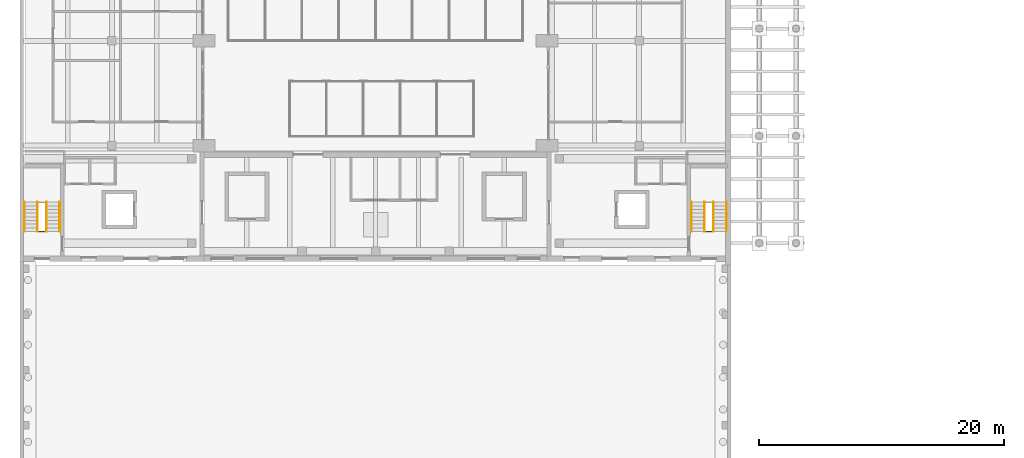
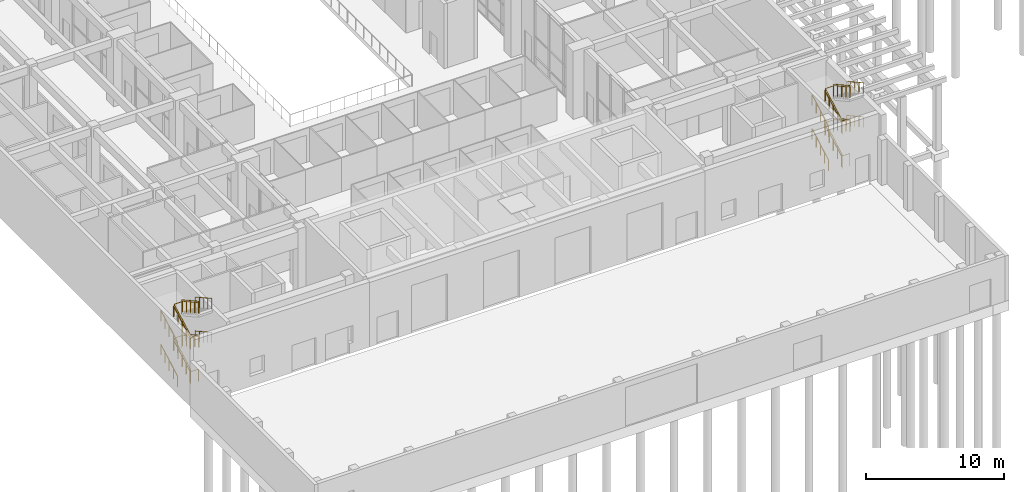
# One storey, part 46 of 51: 18 railings.
"""IFC4 building model written with IfcOpenShell, lengths in metres."""

from ifc_helpers import new_model, si_unit, direction, frame, origin, origin_2d, place, context, subcontext, project, spatial, circle, extrude, material, type_object, element, save


model = new_model("IFC4")

# Units and contexts
model_context = context("Model", 3, precision=1e-05, world=origin(), true_north=direction((0.0, 1.0)))
body_context = subcontext(model_context, "Body", "Model", "MODEL_VIEW")
ifc_project = project(units=[si_unit("LENGTHUNIT", "METRE"), si_unit("AREAUNIT", "SQUARE_METRE"), si_unit("VOLUMEUNIT", "CUBIC_METRE"), si_unit("PLANEANGLEUNIT", "RADIAN"), si_unit("MASSUNIT", "GRAM", prefix="KILO")], contexts=[model_context])

# Site, building, storey
site_placement = place(None, origin())
site = spatial("IfcSite", under=ifc_project, at=site_placement, CompositionType="ELEMENT")
building_placement = place(site_placement, origin())
building = spatial("IfcBuilding", under=site, at=building_placement, Name="Elmora Arch Market Hall", CompositionType="ELEMENT")
storey_placement = place(building_placement, origin())
storey = spatial("IfcBuildingStorey", under=building, at=storey_placement, Name="L00", CompositionType="ELEMENT", Elevation=0.0)

# Railings
ifc_material_1 = material(Name="Steel ASTM A500 Gr C", Category="steel")
railing_type_1 = type_object("IfcRailingType", Name="Stair guard 1100", PredefinedType="GUARDRAIL", material=ifc_material_1)
railing_1_placement = place(storey_placement, frame((2.1201171875, 20.449951171875, 0.0)))
element("IfcRailing", 1, at=railing_1_placement, inside=storey, type_object=railing_type_1, Name="Stair ST-WS guard L00", PredefinedType="GUARDRAIL", context=body_context, shape_type="SweptSolid", body=[
    extrude(circle(Radius=0.02392578125, at=origin_2d()), frame((0.0, 0.0, 1.076171875), z_axis=(-1.0, 0.0, 0.0), x_axis=(0.0, -1.0, 0.0)), (0.0, 0.0, 1.0), 0.64013671875),
    extrude(circle(Radius=0.02392578125, at=origin_2d()), frame((-0.64013671875, 0.0, 1.076171875), z_axis=(0.0, 0.0, 1.0), x_axis=(1.0, 0.0, 0.0)), (0.0, 0.0, 1.0), 0.166748046875),
    extrude(circle(Radius=0.02392578125, at=origin_2d()), frame((-0.64013671875, 0.0, 1.24267578125), z_axis=(0.0, 0.874241147926, 0.485491931212), x_axis=(-1.0, 0.0, 0.0)), (0.0, 0.0, 1.0), 0.6865234375),
    extrude(circle(Radius=0.02392578125, at=origin_2d()), frame((-0.64013671875, 0.60009765625, 1.576171875), z_axis=(0.0, 0.874157276122, 0.485642931179), x_axis=(-1.0, 0.0, 0.0)), (0.0, 0.0, 1.0), 0.686279296875),
    extrude(circle(Radius=0.02392578125, at=origin_2d()), frame((-0.64013671875, 1.199951171875, 1.9091796875), z_axis=(0.0, 0.874090171491, 0.485763699861), x_axis=(-1.0, 0.0, 0.0)), (0.0, 0.0, 1.0), 0.6865234375),
    extrude(circle(Radius=0.02392578125, at=origin_2d()), frame((-0.64013671875, 1.800048828125, 2.24267578125), z_axis=(0.0, 0.874241147926, 0.485491931212), x_axis=(-1.0, 0.0, 0.0)), (0.0, 0.0, 1.0), 0.6865234375),
    extrude(circle(Radius=0.02392578125, at=origin_2d()), frame((-0.64013671875, 2.400146484375, 2.576171875), z_axis=(1.0, 0.0, 0.0), x_axis=(0.0, 1.0, 0.0)), (0.0, 0.0, 1.0), 0.64013671875),
    extrude(circle(Radius=0.02392578125, at=origin_2d()), frame((0.0, 2.400146484375, 2.576171875), z_axis=(0.0, 0.0, 1.0), x_axis=(1.0, 0.0, 0.0)), (0.0, 0.0, 1.0), 0.166748046875),
    extrude(circle(Radius=0.02392578125, at=origin_2d()), frame((0.0, 2.400146484375, 2.74267578125), z_axis=(0.0, -0.874241147926, 0.485491931212), x_axis=(1.0, 0.0, 0.0)), (0.0, 0.0, 1.0), 0.6865234375),
    extrude(circle(Radius=0.02392578125, at=origin_2d()), frame((0.0, 1.800048828125, 3.076171875), z_axis=(0.0, -0.874241147926, 0.485491931212), x_axis=(1.0, 0.0, 0.0)), (0.0, 0.0, 1.0), 0.6865234375),
    extrude(circle(Radius=0.02392578125, at=origin_2d()), frame((0.0, 1.199951171875, 3.4091796875), z_axis=(0.0, -0.874006220275, 0.485914732151), x_axis=(1.0, 0.0, 0.0)), (0.0, 0.0, 1.0), 0.686279296875),
    extrude(circle(Radius=0.02392578125, at=origin_2d()), frame((0.0, 0.60009765625, 3.74267578125), z_axis=(0.0, -0.874241147926, 0.485491931212), x_axis=(1.0, 0.0, 0.0)), (0.0, 0.0, 1.0), 0.6865234375),
    extrude(circle(Radius=0.02392578125, at=origin_2d()), frame((0.0, 0.0, 4.076171875), z_axis=(-1.0, 0.0, 0.0), x_axis=(0.0, -1.0, 0.0)), (0.0, 0.0, 1.0), 0.64013671875),
    extrude(circle(Radius=0.02392578125, at=origin_2d()), frame((-0.64013671875, 0.0, 4.076171875), z_axis=(0.0, 0.0, 1.0), x_axis=(1.0, 0.0, 0.0)), (0.0, 0.0, 1.0), 0.166748046875),
    extrude(circle(Radius=0.02392578125, at=origin_2d()), frame((-0.64013671875, 0.0, 4.24267578125), z_axis=(0.0, 0.874241147926, 0.485491931212), x_axis=(-1.0, 0.0, 0.0)), (0.0, 0.0, 1.0), 0.6865234375),
    extrude(circle(Radius=0.02392578125, at=origin_2d()), frame((-0.64013671875, 0.60009765625, 4.576171875), z_axis=(0.0, 0.874157276122, 0.485642931179), x_axis=(-1.0, 0.0, 0.0)), (0.0, 0.0, 1.0), 0.686279296875),
    extrude(circle(Radius=0.02392578125, at=origin_2d()), frame((-0.64013671875, 1.199951171875, 4.9091796875), z_axis=(0.0, 0.874090171491, 0.485763699861), x_axis=(-1.0, 0.0, 0.0)), (0.0, 0.0, 1.0), 0.6865234375),
    extrude(circle(Radius=0.02392578125, at=origin_2d()), frame((-0.64013671875, 1.800048828125, 5.24267578125), z_axis=(0.0, 0.874241147926, 0.485491931212), x_axis=(-1.0, 0.0, 0.0)), (0.0, 0.0, 1.0), 0.6865234375),
    extrude(circle(Radius=0.02392578125, at=origin_2d()), frame((-0.64013671875, 2.400146484375, 5.576171875), z_axis=(1.0, 0.0, 0.0), x_axis=(0.0, 1.0, 0.0)), (0.0, 0.0, 1.0), 0.64013671875),
    extrude(circle(Radius=0.02392578125, at=origin_2d()), frame((0.0, 2.400146484375, 5.576171875), z_axis=(0.0, 0.0, 1.0), x_axis=(1.0, 0.0, 0.0)), (0.0, 0.0, 1.0), 0.166748046875),
    extrude(circle(Radius=0.02392578125, at=origin_2d()), frame((0.0, 2.400146484375, 5.74267578125), z_axis=(0.0, -0.874241147926, 0.485491931212), x_axis=(1.0, 0.0, 0.0)), (0.0, 0.0, 1.0), 0.6865234375),
    extrude(circle(Radius=0.02392578125, at=origin_2d()), frame((0.0, 1.800048828125, 6.076171875), z_axis=(0.0, -0.874241147926, 0.485491931212), x_axis=(1.0, 0.0, 0.0)), (0.0, 0.0, 1.0), 0.6865234375),
    extrude(circle(Radius=0.02392578125, at=origin_2d()), frame((0.0, 1.199951171875, 6.4091796875), z_axis=(0.0, -0.874006220275, 0.485914732151), x_axis=(1.0, 0.0, 0.0)), (0.0, 0.0, 1.0), 0.686279296875),
    extrude(circle(Radius=0.02392578125, at=origin_2d()), frame((0.0, 0.60009765625, 6.74267578125), z_axis=(0.0, -0.874241147926, 0.485491931212), x_axis=(1.0, 0.0, 0.0)), (0.0, 0.0, 1.0), 0.6865234375),
    extrude(circle(Radius=0.02099609375, at=origin_2d()), origin(), (0.0, 0.0, 1.0), 1.052001953125),
    extrude(circle(Radius=0.02099609375, at=origin_2d()), frame((-0.64013671875, 0.0, 0.0)), (0.0, 0.0, 1.0), 1.052001953125),
    extrude(circle(Radius=0.02099609375, at=origin_2d()), frame((-0.64013671875, 0.0, 0.166748046875)), (0.0, 0.0, 1.0), 1.052001953125),
    extrude(circle(Radius=0.02099609375, at=origin_2d()), frame((-0.64013671875, 0.60009765625, 0.5)), (0.0, 0.0, 1.0), 1.052001953125),
    extrude(circle(Radius=0.02099609375, at=origin_2d()), frame((-0.64013671875, 1.199951171875, 0.833251953125)), (0.0, 0.0, 1.0), 1.052001953125),
    extrude(circle(Radius=0.02099609375, at=origin_2d()), frame((-0.64013671875, 1.800048828125, 1.166748046875)), (0.0, 0.0, 1.0), 1.052001953125),
    extrude(circle(Radius=0.02099609375, at=origin_2d()), frame((-0.64013671875, 2.400146484375, 1.5)), (0.0, 0.0, 1.0), 1.052001953125),
    extrude(circle(Radius=0.02099609375, at=origin_2d()), frame((0.0, 2.400146484375, 1.5)), (0.0, 0.0, 1.0), 1.052001953125),
    extrude(circle(Radius=0.02099609375, at=origin_2d()), frame((0.0, 2.400146484375, 1.666748046875)), (0.0, 0.0, 1.0), 1.052001953125),
    extrude(circle(Radius=0.02099609375, at=origin_2d()), frame((0.0, 1.800048828125, 2.0)), (0.0, 0.0, 1.0), 1.052001953125),
    extrude(circle(Radius=0.02099609375, at=origin_2d()), frame((0.0, 1.199951171875, 2.333251953125)), (0.0, 0.0, 1.0), 1.052001953125),
    extrude(circle(Radius=0.02099609375, at=origin_2d()), frame((0.0, 0.60009765625, 2.666748046875)), (0.0, 0.0, 1.0), 1.052001953125),
    extrude(circle(Radius=0.02099609375, at=origin_2d()), frame((0.0, 0.0, 3.0)), (0.0, 0.0, 1.0), 1.052001953125),
    extrude(circle(Radius=0.02099609375, at=origin_2d()), frame((-0.64013671875, 0.0, 3.0)), (0.0, 0.0, 1.0), 1.052001953125),
    extrude(circle(Radius=0.02099609375, at=origin_2d()), frame((-0.64013671875, 0.0, 3.166748046875)), (0.0, 0.0, 1.0), 1.052001953125),
    extrude(circle(Radius=0.02099609375, at=origin_2d()), frame((-0.64013671875, 0.60009765625, 3.5)), (0.0, 0.0, 1.0), 1.052001953125),
    extrude(circle(Radius=0.02099609375, at=origin_2d()), frame((-0.64013671875, 1.199951171875, 3.833251953125)), (0.0, 0.0, 1.0), 1.052001953125),
    extrude(circle(Radius=0.02099609375, at=origin_2d()), frame((-0.64013671875, 1.800048828125, 4.166748046875)), (0.0, 0.0, 1.0), 1.052001953125),
    extrude(circle(Radius=0.02099609375, at=origin_2d()), frame((-0.64013671875, 2.400146484375, 4.5)), (0.0, 0.0, 1.0), 1.052001953125),
    extrude(circle(Radius=0.02099609375, at=origin_2d()), frame((0.0, 2.400146484375, 4.5)), (0.0, 0.0, 1.0), 1.052001953125),
    extrude(circle(Radius=0.02099609375, at=origin_2d()), frame((0.0, 2.400146484375, 4.666748046875)), (0.0, 0.0, 1.0), 1.052001953125),
    extrude(circle(Radius=0.02099609375, at=origin_2d()), frame((0.0, 1.800048828125, 5.0)), (0.0, 0.0, 1.0), 1.052001953125),
    extrude(circle(Radius=0.02099609375, at=origin_2d()), frame((0.0, 1.199951171875, 5.333251953125)), (0.0, 0.0, 1.0), 1.052001953125),
    extrude(circle(Radius=0.02099609375, at=origin_2d()), frame((0.0, 0.60009765625, 5.666748046875)), (0.0, 0.0, 1.0), 1.052001953125),
    extrude(circle(Radius=0.02099609375, at=origin_2d()), frame((0.0, 0.0, 6.0)), (0.0, 0.0, 1.0), 1.052001953125),
])
railing_2_placement = place(storey_placement, frame((56.52001953125, 20.449951171875, 0.0)))
element("IfcRailing", 2, at=railing_2_placement, inside=storey, type_object=railing_type_1, Name="Stair ST-ES guard L00", PredefinedType="GUARDRAIL", context=body_context, shape_type="SweptSolid", body=[
    extrude(circle(Radius=0.02392578125, at=origin_2d()), frame((0.0, 0.0, 1.076171875), z_axis=(-1.0, 0.0, 0.0), x_axis=(0.0, -1.0, 0.0)), (0.0, 0.0, 1.0), 0.64013671875),
    extrude(circle(Radius=0.02392578125, at=origin_2d()), frame((-0.64013671875, 0.0, 1.076171875), z_axis=(0.0, 0.0, 1.0), x_axis=(1.0, 0.0, 0.0)), (0.0, 0.0, 1.0), 0.166748046875),
    extrude(circle(Radius=0.02392578125, at=origin_2d()), frame((-0.64013671875, 0.0, 1.24267578125), z_axis=(0.0, 0.874241147926, 0.485491931212), x_axis=(-1.0, 0.0, 0.0)), (0.0, 0.0, 1.0), 0.6865234375),
    extrude(circle(Radius=0.02392578125, at=origin_2d()), frame((-0.64013671875, 0.60009765625, 1.576171875), z_axis=(0.0, 0.874157276122, 0.485642931179), x_axis=(-1.0, 0.0, 0.0)), (0.0, 0.0, 1.0), 0.686279296875),
    extrude(circle(Radius=0.02392578125, at=origin_2d()), frame((-0.64013671875, 1.199951171875, 1.9091796875), z_axis=(0.0, 0.874090171491, 0.485763699861), x_axis=(-1.0, 0.0, 0.0)), (0.0, 0.0, 1.0), 0.6865234375),
    extrude(circle(Radius=0.02392578125, at=origin_2d()), frame((-0.64013671875, 1.800048828125, 2.24267578125), z_axis=(0.0, 0.874241147926, 0.485491931212), x_axis=(-1.0, 0.0, 0.0)), (0.0, 0.0, 1.0), 0.6865234375),
    extrude(circle(Radius=0.02392578125, at=origin_2d()), frame((-0.64013671875, 2.400146484375, 2.576171875), z_axis=(1.0, 0.0, 0.0), x_axis=(0.0, 1.0, 0.0)), (0.0, 0.0, 1.0), 0.64013671875),
    extrude(circle(Radius=0.02392578125, at=origin_2d()), frame((0.0, 2.400146484375, 2.576171875), z_axis=(0.0, 0.0, 1.0), x_axis=(1.0, 0.0, 0.0)), (0.0, 0.0, 1.0), 0.166748046875),
    extrude(circle(Radius=0.02392578125, at=origin_2d()), frame((0.0, 2.400146484375, 2.74267578125), z_axis=(0.0, -0.874241147926, 0.485491931212), x_axis=(1.0, 0.0, 0.0)), (0.0, 0.0, 1.0), 0.6865234375),
    extrude(circle(Radius=0.02392578125, at=origin_2d()), frame((0.0, 1.800048828125, 3.076171875), z_axis=(0.0, -0.874241147926, 0.485491931212), x_axis=(1.0, 0.0, 0.0)), (0.0, 0.0, 1.0), 0.6865234375),
    extrude(circle(Radius=0.02392578125, at=origin_2d()), frame((0.0, 1.199951171875, 3.4091796875), z_axis=(0.0, -0.874006220275, 0.485914732151), x_axis=(1.0, 0.0, 0.0)), (0.0, 0.0, 1.0), 0.686279296875),
    extrude(circle(Radius=0.02392578125, at=origin_2d()), frame((0.0, 0.60009765625, 3.74267578125), z_axis=(0.0, -0.874241147926, 0.485491931212), x_axis=(1.0, 0.0, 0.0)), (0.0, 0.0, 1.0), 0.6865234375),
    extrude(circle(Radius=0.02392578125, at=origin_2d()), frame((0.0, 0.0, 4.076171875), z_axis=(-1.0, 0.0, 0.0), x_axis=(0.0, -1.0, 0.0)), (0.0, 0.0, 1.0), 0.64013671875),
    extrude(circle(Radius=0.02392578125, at=origin_2d()), frame((-0.64013671875, 0.0, 4.076171875), z_axis=(0.0, 0.0, 1.0), x_axis=(1.0, 0.0, 0.0)), (0.0, 0.0, 1.0), 0.166748046875),
    extrude(circle(Radius=0.02392578125, at=origin_2d()), frame((-0.64013671875, 0.0, 4.24267578125), z_axis=(0.0, 0.874241147926, 0.485491931212), x_axis=(-1.0, 0.0, 0.0)), (0.0, 0.0, 1.0), 0.6865234375),
    extrude(circle(Radius=0.02392578125, at=origin_2d()), frame((-0.64013671875, 0.60009765625, 4.576171875), z_axis=(0.0, 0.874157276122, 0.485642931179), x_axis=(-1.0, 0.0, 0.0)), (0.0, 0.0, 1.0), 0.686279296875),
    extrude(circle(Radius=0.02392578125, at=origin_2d()), frame((-0.64013671875, 1.199951171875, 4.9091796875), z_axis=(0.0, 0.874090171491, 0.485763699861), x_axis=(-1.0, 0.0, 0.0)), (0.0, 0.0, 1.0), 0.6865234375),
    extrude(circle(Radius=0.02392578125, at=origin_2d()), frame((-0.64013671875, 1.800048828125, 5.24267578125), z_axis=(0.0, 0.874241147926, 0.485491931212), x_axis=(-1.0, 0.0, 0.0)), (0.0, 0.0, 1.0), 0.6865234375),
    extrude(circle(Radius=0.02392578125, at=origin_2d()), frame((-0.64013671875, 2.400146484375, 5.576171875), z_axis=(1.0, 0.0, 0.0), x_axis=(0.0, 1.0, 0.0)), (0.0, 0.0, 1.0), 0.64013671875),
    extrude(circle(Radius=0.02392578125, at=origin_2d()), frame((0.0, 2.400146484375, 5.576171875), z_axis=(0.0, 0.0, 1.0), x_axis=(1.0, 0.0, 0.0)), (0.0, 0.0, 1.0), 0.166748046875),
    extrude(circle(Radius=0.02392578125, at=origin_2d()), frame((0.0, 2.400146484375, 5.74267578125), z_axis=(0.0, -0.874241147926, 0.485491931212), x_axis=(1.0, 0.0, 0.0)), (0.0, 0.0, 1.0), 0.6865234375),
    extrude(circle(Radius=0.02392578125, at=origin_2d()), frame((0.0, 1.800048828125, 6.076171875), z_axis=(0.0, -0.874241147926, 0.485491931212), x_axis=(1.0, 0.0, 0.0)), (0.0, 0.0, 1.0), 0.6865234375),
    extrude(circle(Radius=0.02392578125, at=origin_2d()), frame((0.0, 1.199951171875, 6.4091796875), z_axis=(0.0, -0.874006220275, 0.485914732151), x_axis=(1.0, 0.0, 0.0)), (0.0, 0.0, 1.0), 0.686279296875),
    extrude(circle(Radius=0.02392578125, at=origin_2d()), frame((0.0, 0.60009765625, 6.74267578125), z_axis=(0.0, -0.874241147926, 0.485491931212), x_axis=(1.0, 0.0, 0.0)), (0.0, 0.0, 1.0), 0.6865234375),
    extrude(circle(Radius=0.02099609375, at=origin_2d()), origin(), (0.0, 0.0, 1.0), 1.052001953125),
    extrude(circle(Radius=0.02099609375, at=origin_2d()), frame((-0.64013671875, 0.0, 0.0)), (0.0, 0.0, 1.0), 1.052001953125),
    extrude(circle(Radius=0.02099609375, at=origin_2d()), frame((-0.64013671875, 0.0, 0.166748046875)), (0.0, 0.0, 1.0), 1.052001953125),
    extrude(circle(Radius=0.02099609375, at=origin_2d()), frame((-0.64013671875, 0.60009765625, 0.5)), (0.0, 0.0, 1.0), 1.052001953125),
    extrude(circle(Radius=0.02099609375, at=origin_2d()), frame((-0.64013671875, 1.199951171875, 0.833251953125)), (0.0, 0.0, 1.0), 1.052001953125),
    extrude(circle(Radius=0.02099609375, at=origin_2d()), frame((-0.64013671875, 1.800048828125, 1.166748046875)), (0.0, 0.0, 1.0), 1.052001953125),
    extrude(circle(Radius=0.02099609375, at=origin_2d()), frame((-0.64013671875, 2.400146484375, 1.5)), (0.0, 0.0, 1.0), 1.052001953125),
    extrude(circle(Radius=0.02099609375, at=origin_2d()), frame((0.0, 2.400146484375, 1.5)), (0.0, 0.0, 1.0), 1.052001953125),
    extrude(circle(Radius=0.02099609375, at=origin_2d()), frame((0.0, 2.400146484375, 1.666748046875)), (0.0, 0.0, 1.0), 1.052001953125),
    extrude(circle(Radius=0.02099609375, at=origin_2d()), frame((0.0, 1.800048828125, 2.0)), (0.0, 0.0, 1.0), 1.052001953125),
    extrude(circle(Radius=0.02099609375, at=origin_2d()), frame((0.0, 1.199951171875, 2.333251953125)), (0.0, 0.0, 1.0), 1.052001953125),
    extrude(circle(Radius=0.02099609375, at=origin_2d()), frame((0.0, 0.60009765625, 2.666748046875)), (0.0, 0.0, 1.0), 1.052001953125),
    extrude(circle(Radius=0.02099609375, at=origin_2d()), frame((0.0, 0.0, 3.0)), (0.0, 0.0, 1.0), 1.052001953125),
    extrude(circle(Radius=0.02099609375, at=origin_2d()), frame((-0.64013671875, 0.0, 3.0)), (0.0, 0.0, 1.0), 1.052001953125),
    extrude(circle(Radius=0.02099609375, at=origin_2d()), frame((-0.64013671875, 0.0, 3.166748046875)), (0.0, 0.0, 1.0), 1.052001953125),
    extrude(circle(Radius=0.02099609375, at=origin_2d()), frame((-0.64013671875, 0.60009765625, 3.5)), (0.0, 0.0, 1.0), 1.052001953125),
    extrude(circle(Radius=0.02099609375, at=origin_2d()), frame((-0.64013671875, 1.199951171875, 3.833251953125)), (0.0, 0.0, 1.0), 1.052001953125),
    extrude(circle(Radius=0.02099609375, at=origin_2d()), frame((-0.64013671875, 1.800048828125, 4.166748046875)), (0.0, 0.0, 1.0), 1.052001953125),
    extrude(circle(Radius=0.02099609375, at=origin_2d()), frame((-0.64013671875, 2.400146484375, 4.5)), (0.0, 0.0, 1.0), 1.052001953125),
    extrude(circle(Radius=0.02099609375, at=origin_2d()), frame((0.0, 2.400146484375, 4.5)), (0.0, 0.0, 1.0), 1.052001953125),
    extrude(circle(Radius=0.02099609375, at=origin_2d()), frame((0.0, 2.400146484375, 4.666748046875)), (0.0, 0.0, 1.0), 1.052001953125),
    extrude(circle(Radius=0.02099609375, at=origin_2d()), frame((0.0, 1.800048828125, 5.0)), (0.0, 0.0, 1.0), 1.052001953125),
    extrude(circle(Radius=0.02099609375, at=origin_2d()), frame((0.0, 1.199951171875, 5.333251953125)), (0.0, 0.0, 1.0), 1.052001953125),
    extrude(circle(Radius=0.02099609375, at=origin_2d()), frame((0.0, 0.60009765625, 5.666748046875)), (0.0, 0.0, 1.0), 1.052001953125),
    extrude(circle(Radius=0.02099609375, at=origin_2d()), frame((0.0, 0.0, 6.0)), (0.0, 0.0, 1.0), 1.052001953125),
])
ifc_material_2 = material(Name="Stainless steel ASTM A554 Grade 304", Category="steel")
railing_type_2 = type_object("IfcRailingType", Name="Stair handrail 950", PredefinedType="HANDRAIL", material=ifc_material_2)
for number, where, name in (
    (3, (0.360107421875, 20.449951171875, 0.166748046875), "Stair ST-WS L00 flight 1 handrail"),
    (4, (1.429931640625, 20.449951171875, 0.166748046875), "Stair ST-WS L00 flight 1 handrail"),
):
    element("IfcRailing", number, at=place(storey_placement, frame(where)), inside=storey, type_object=railing_type_2, Name=name, PredefinedType="HANDRAIL", context=body_context, shape_type="SweptSolid", body=[
        extrude(circle(Radius=0.02392578125, at=origin_2d()), frame((0.0, 0.0, 0.92578125), z_axis=(0.0, 0.874241147926, 0.485491931212), x_axis=(-1.0, 0.0, 0.0)), (0.0, 0.0, 1.0), 0.6865234375),
        extrude(circle(Radius=0.02392578125, at=origin_2d()), frame((0.0, 0.60009765625, 1.25927734375), z_axis=(0.0, 0.874157276122, 0.485642931179), x_axis=(-1.0, 0.0, 0.0)), (0.0, 0.0, 1.0), 0.686279296875),
        extrude(circle(Radius=0.02392578125, at=origin_2d()), frame((0.0, 1.199951171875, 1.59228515625), z_axis=(0.0, 0.874090171491, 0.485763699861), x_axis=(-1.0, 0.0, 0.0)), (0.0, 0.0, 1.0), 0.6865234375),
        extrude(circle(Radius=0.02392578125, at=origin_2d()), frame((0.0, 1.800048828125, 1.92578125), z_axis=(0.0, 0.874241147926, 0.485491931212), x_axis=(-1.0, 0.0, 0.0)), (0.0, 0.0, 1.0), 0.6865234375),
        extrude(circle(Radius=0.02099609375, at=origin_2d()), origin(), (0.0, 0.0, 1.0), 0.90185546875),
        extrude(circle(Radius=0.02099609375, at=origin_2d()), frame((0.0, 0.60009765625, 0.333251953125)), (0.0, 0.0, 1.0), 0.90185546875),
        extrude(circle(Radius=0.02099609375, at=origin_2d()), frame((0.0, 1.199951171875, 0.66650390625)), (0.0, 0.0, 1.0), 0.90185546875),
        extrude(circle(Radius=0.02099609375, at=origin_2d()), frame((0.0, 1.800048828125, 1.0)), (0.0, 0.0, 1.0), 0.90185546875),
        extrude(circle(Radius=0.02099609375, at=origin_2d()), frame((0.0, 2.400146484375, 1.333251953125)), (0.0, 0.0, 1.0), 0.90185546875),
    ])
for number, where, name in (
    (5, (3.239990234375, 22.85009765625, 1.666748046875), "Stair ST-WS L00 flight 2 handrail"),
    (6, (2.169921875, 22.85009765625, 1.666748046875), "Stair ST-WS L00 flight 2 handrail"),
):
    element("IfcRailing", number, at=place(storey_placement, frame(where)), inside=storey, type_object=railing_type_2, Name=name, PredefinedType="HANDRAIL", context=body_context, shape_type="SweptSolid", body=[
        extrude(circle(Radius=0.02392578125, at=origin_2d()), frame((0.0, 0.0, 0.92578125), z_axis=(0.0, -0.874241147926, 0.485491931212), x_axis=(1.0, 0.0, 0.0)), (0.0, 0.0, 1.0), 0.6865234375),
        extrude(circle(Radius=0.02392578125, at=origin_2d()), frame((0.0, -0.60009765625, 1.25927734375), z_axis=(0.0, -0.874241147926, 0.485491931212), x_axis=(1.0, 0.0, 0.0)), (0.0, 0.0, 1.0), 0.6865234375),
        extrude(circle(Radius=0.02392578125, at=origin_2d()), frame((0.0, -1.2001953125, 1.59228515625), z_axis=(0.0, -0.874006220275, 0.485914732151), x_axis=(1.0, 0.0, 0.0)), (0.0, 0.0, 1.0), 0.686279296875),
        extrude(circle(Radius=0.02392578125, at=origin_2d()), frame((0.0, -1.800048828125, 1.92578125), z_axis=(0.0, -0.874241147926, 0.485491931212), x_axis=(1.0, 0.0, 0.0)), (0.0, 0.0, 1.0), 0.6865234375),
        extrude(circle(Radius=0.02099609375, at=origin_2d()), origin(), (0.0, 0.0, 1.0), 0.90185546875),
        extrude(circle(Radius=0.02099609375, at=origin_2d()), frame((0.0, -0.60009765625, 0.333251953125)), (0.0, 0.0, 1.0), 0.90185546875),
        extrude(circle(Radius=0.02099609375, at=origin_2d()), frame((0.0, -1.2001953125, 0.66650390625)), (0.0, 0.0, 1.0), 0.90185546875),
        extrude(circle(Radius=0.02099609375, at=origin_2d()), frame((0.0, -1.800048828125, 1.0)), (0.0, 0.0, 1.0), 0.90185546875),
        extrude(circle(Radius=0.02099609375, at=origin_2d()), frame((0.0, -2.400146484375, 1.333251953125)), (0.0, 0.0, 1.0), 0.90185546875),
    ])
for number, where, name in (
    (7, (0.360107421875, 20.449951171875, 3.166748046875), "Stair ST-WS L00 flight 3 handrail"),
    (8, (1.429931640625, 20.449951171875, 3.166748046875), "Stair ST-WS L00 flight 3 handrail"),
):
    element("IfcRailing", number, at=place(storey_placement, frame(where)), inside=storey, type_object=railing_type_2, Name=name, PredefinedType="HANDRAIL", context=body_context, shape_type="SweptSolid", body=[
        extrude(circle(Radius=0.02392578125, at=origin_2d()), frame((0.0, 0.0, 0.92578125), z_axis=(0.0, 0.874241147926, 0.485491931212), x_axis=(-1.0, 0.0, 0.0)), (0.0, 0.0, 1.0), 0.6865234375),
        extrude(circle(Radius=0.02392578125, at=origin_2d()), frame((0.0, 0.60009765625, 1.25927734375), z_axis=(0.0, 0.874157276122, 0.485642931179), x_axis=(-1.0, 0.0, 0.0)), (0.0, 0.0, 1.0), 0.686279296875),
        extrude(circle(Radius=0.02392578125, at=origin_2d()), frame((0.0, 1.199951171875, 1.59228515625), z_axis=(0.0, 0.874090171491, 0.485763699861), x_axis=(-1.0, 0.0, 0.0)), (0.0, 0.0, 1.0), 0.6865234375),
        extrude(circle(Radius=0.02392578125, at=origin_2d()), frame((0.0, 1.800048828125, 1.92578125), z_axis=(0.0, 0.874241147926, 0.485491931212), x_axis=(-1.0, 0.0, 0.0)), (0.0, 0.0, 1.0), 0.6865234375),
        extrude(circle(Radius=0.02099609375, at=origin_2d()), origin(), (0.0, 0.0, 1.0), 0.90185546875),
        extrude(circle(Radius=0.02099609375, at=origin_2d()), frame((0.0, 0.60009765625, 0.333251953125)), (0.0, 0.0, 1.0), 0.90185546875),
        extrude(circle(Radius=0.02099609375, at=origin_2d()), frame((0.0, 1.199951171875, 0.66650390625)), (0.0, 0.0, 1.0), 0.90185546875),
        extrude(circle(Radius=0.02099609375, at=origin_2d()), frame((0.0, 1.800048828125, 1.0)), (0.0, 0.0, 1.0), 0.90185546875),
        extrude(circle(Radius=0.02099609375, at=origin_2d()), frame((0.0, 2.400146484375, 1.333251953125)), (0.0, 0.0, 1.0), 0.90185546875),
    ])
for number, where, name in (
    (9, (3.239990234375, 22.85009765625, 4.666748046875), "Stair ST-WS L00 flight 4 handrail"),
    (10, (2.169921875, 22.85009765625, 4.666748046875), "Stair ST-WS L00 flight 4 handrail"),
):
    element("IfcRailing", number, at=place(storey_placement, frame(where)), inside=storey, type_object=railing_type_2, Name=name, PredefinedType="HANDRAIL", context=body_context, shape_type="SweptSolid", body=[
        extrude(circle(Radius=0.02392578125, at=origin_2d()), frame((0.0, 0.0, 0.92578125), z_axis=(0.0, -0.874241147926, 0.485491931212), x_axis=(1.0, 0.0, 0.0)), (0.0, 0.0, 1.0), 0.6865234375),
        extrude(circle(Radius=0.02392578125, at=origin_2d()), frame((0.0, -0.60009765625, 1.25927734375), z_axis=(0.0, -0.874241147926, 0.485491931212), x_axis=(1.0, 0.0, 0.0)), (0.0, 0.0, 1.0), 0.6865234375),
        extrude(circle(Radius=0.02392578125, at=origin_2d()), frame((0.0, -1.2001953125, 1.59228515625), z_axis=(0.0, -0.874006220275, 0.485914732151), x_axis=(1.0, 0.0, 0.0)), (0.0, 0.0, 1.0), 0.686279296875),
        extrude(circle(Radius=0.02392578125, at=origin_2d()), frame((0.0, -1.800048828125, 1.92578125), z_axis=(0.0, -0.874241147926, 0.485491931212), x_axis=(1.0, 0.0, 0.0)), (0.0, 0.0, 1.0), 0.6865234375),
        extrude(circle(Radius=0.02099609375, at=origin_2d()), origin(), (0.0, 0.0, 1.0), 0.90185546875),
        extrude(circle(Radius=0.02099609375, at=origin_2d()), frame((0.0, -0.60009765625, 0.333251953125)), (0.0, 0.0, 1.0), 0.90185546875),
        extrude(circle(Radius=0.02099609375, at=origin_2d()), frame((0.0, -1.2001953125, 0.66650390625)), (0.0, 0.0, 1.0), 0.90185546875),
        extrude(circle(Radius=0.02099609375, at=origin_2d()), frame((0.0, -1.800048828125, 1.0)), (0.0, 0.0, 1.0), 0.90185546875),
        extrude(circle(Radius=0.02099609375, at=origin_2d()), frame((0.0, -2.400146484375, 1.333251953125)), (0.0, 0.0, 1.0), 0.90185546875),
    ])
for number, where, name in (
    (11, (54.760009765625, 20.449951171875, 0.166748046875), "Stair ST-ES L00 flight 1 handrail"),
    (12, (55.830078125, 20.449951171875, 0.166748046875), "Stair ST-ES L00 flight 1 handrail"),
):
    element("IfcRailing", number, at=place(storey_placement, frame(where)), inside=storey, type_object=railing_type_2, Name=name, PredefinedType="HANDRAIL", context=body_context, shape_type="SweptSolid", body=[
        extrude(circle(Radius=0.02392578125, at=origin_2d()), frame((0.0, 0.0, 0.92578125), z_axis=(0.0, 0.874241147926, 0.485491931212), x_axis=(-1.0, 0.0, 0.0)), (0.0, 0.0, 1.0), 0.6865234375),
        extrude(circle(Radius=0.02392578125, at=origin_2d()), frame((0.0, 0.60009765625, 1.25927734375), z_axis=(0.0, 0.874157276122, 0.485642931179), x_axis=(-1.0, 0.0, 0.0)), (0.0, 0.0, 1.0), 0.686279296875),
        extrude(circle(Radius=0.02392578125, at=origin_2d()), frame((0.0, 1.199951171875, 1.59228515625), z_axis=(0.0, 0.874090171491, 0.485763699861), x_axis=(-1.0, 0.0, 0.0)), (0.0, 0.0, 1.0), 0.6865234375),
        extrude(circle(Radius=0.02392578125, at=origin_2d()), frame((0.0, 1.800048828125, 1.92578125), z_axis=(0.0, 0.874241147926, 0.485491931212), x_axis=(-1.0, 0.0, 0.0)), (0.0, 0.0, 1.0), 0.6865234375),
        extrude(circle(Radius=0.02099609375, at=origin_2d()), origin(), (0.0, 0.0, 1.0), 0.90185546875),
        extrude(circle(Radius=0.02099609375, at=origin_2d()), frame((0.0, 0.60009765625, 0.333251953125)), (0.0, 0.0, 1.0), 0.90185546875),
        extrude(circle(Radius=0.02099609375, at=origin_2d()), frame((0.0, 1.199951171875, 0.66650390625)), (0.0, 0.0, 1.0), 0.90185546875),
        extrude(circle(Radius=0.02099609375, at=origin_2d()), frame((0.0, 1.800048828125, 1.0)), (0.0, 0.0, 1.0), 0.90185546875),
        extrude(circle(Radius=0.02099609375, at=origin_2d()), frame((0.0, 2.400146484375, 1.333251953125)), (0.0, 0.0, 1.0), 0.90185546875),
    ])
for number, where, name in (
    (13, (57.639892578125, 22.85009765625, 1.666748046875), "Stair ST-ES L00 flight 2 handrail"),
    (14, (56.570068359375, 22.85009765625, 1.666748046875), "Stair ST-ES L00 flight 2 handrail"),
):
    element("IfcRailing", number, at=place(storey_placement, frame(where)), inside=storey, type_object=railing_type_2, Name=name, PredefinedType="HANDRAIL", context=body_context, shape_type="SweptSolid", body=[
        extrude(circle(Radius=0.02392578125, at=origin_2d()), frame((0.0, 0.0, 0.92578125), z_axis=(0.0, -0.874241147926, 0.485491931212), x_axis=(1.0, 0.0, 0.0)), (0.0, 0.0, 1.0), 0.6865234375),
        extrude(circle(Radius=0.02392578125, at=origin_2d()), frame((0.0, -0.60009765625, 1.25927734375), z_axis=(0.0, -0.874241147926, 0.485491931212), x_axis=(1.0, 0.0, 0.0)), (0.0, 0.0, 1.0), 0.6865234375),
        extrude(circle(Radius=0.02392578125, at=origin_2d()), frame((0.0, -1.2001953125, 1.59228515625), z_axis=(0.0, -0.874006220275, 0.485914732151), x_axis=(1.0, 0.0, 0.0)), (0.0, 0.0, 1.0), 0.686279296875),
        extrude(circle(Radius=0.02392578125, at=origin_2d()), frame((0.0, -1.800048828125, 1.92578125), z_axis=(0.0, -0.874241147926, 0.485491931212), x_axis=(1.0, 0.0, 0.0)), (0.0, 0.0, 1.0), 0.6865234375),
        extrude(circle(Radius=0.02099609375, at=origin_2d()), origin(), (0.0, 0.0, 1.0), 0.90185546875),
        extrude(circle(Radius=0.02099609375, at=origin_2d()), frame((0.0, -0.60009765625, 0.333251953125)), (0.0, 0.0, 1.0), 0.90185546875),
        extrude(circle(Radius=0.02099609375, at=origin_2d()), frame((0.0, -1.2001953125, 0.66650390625)), (0.0, 0.0, 1.0), 0.90185546875),
        extrude(circle(Radius=0.02099609375, at=origin_2d()), frame((0.0, -1.800048828125, 1.0)), (0.0, 0.0, 1.0), 0.90185546875),
        extrude(circle(Radius=0.02099609375, at=origin_2d()), frame((0.0, -2.400146484375, 1.333251953125)), (0.0, 0.0, 1.0), 0.90185546875),
    ])
for number, where, name in (
    (15, (54.760009765625, 20.449951171875, 3.166748046875), "Stair ST-ES L00 flight 3 handrail"),
    (16, (55.830078125, 20.449951171875, 3.166748046875), "Stair ST-ES L00 flight 3 handrail"),
):
    element("IfcRailing", number, at=place(storey_placement, frame(where)), inside=storey, type_object=railing_type_2, Name=name, PredefinedType="HANDRAIL", context=body_context, shape_type="SweptSolid", body=[
        extrude(circle(Radius=0.02392578125, at=origin_2d()), frame((0.0, 0.0, 0.92578125), z_axis=(0.0, 0.874241147926, 0.485491931212), x_axis=(-1.0, 0.0, 0.0)), (0.0, 0.0, 1.0), 0.6865234375),
        extrude(circle(Radius=0.02392578125, at=origin_2d()), frame((0.0, 0.60009765625, 1.25927734375), z_axis=(0.0, 0.874157276122, 0.485642931179), x_axis=(-1.0, 0.0, 0.0)), (0.0, 0.0, 1.0), 0.686279296875),
        extrude(circle(Radius=0.02392578125, at=origin_2d()), frame((0.0, 1.199951171875, 1.59228515625), z_axis=(0.0, 0.874090171491, 0.485763699861), x_axis=(-1.0, 0.0, 0.0)), (0.0, 0.0, 1.0), 0.6865234375),
        extrude(circle(Radius=0.02392578125, at=origin_2d()), frame((0.0, 1.800048828125, 1.92578125), z_axis=(0.0, 0.874241147926, 0.485491931212), x_axis=(-1.0, 0.0, 0.0)), (0.0, 0.0, 1.0), 0.6865234375),
        extrude(circle(Radius=0.02099609375, at=origin_2d()), origin(), (0.0, 0.0, 1.0), 0.90185546875),
        extrude(circle(Radius=0.02099609375, at=origin_2d()), frame((0.0, 0.60009765625, 0.333251953125)), (0.0, 0.0, 1.0), 0.90185546875),
        extrude(circle(Radius=0.02099609375, at=origin_2d()), frame((0.0, 1.199951171875, 0.66650390625)), (0.0, 0.0, 1.0), 0.90185546875),
        extrude(circle(Radius=0.02099609375, at=origin_2d()), frame((0.0, 1.800048828125, 1.0)), (0.0, 0.0, 1.0), 0.90185546875),
        extrude(circle(Radius=0.02099609375, at=origin_2d()), frame((0.0, 2.400146484375, 1.333251953125)), (0.0, 0.0, 1.0), 0.90185546875),
    ])
for number, where, name in (
    (17, (57.639892578125, 22.85009765625, 4.666748046875), "Stair ST-ES L00 flight 4 handrail"),
    (18, (56.570068359375, 22.85009765625, 4.666748046875), "Stair ST-ES L00 flight 4 handrail"),
):
    element("IfcRailing", number, at=place(storey_placement, frame(where)), inside=storey, type_object=railing_type_2, Name=name, PredefinedType="HANDRAIL", context=body_context, shape_type="SweptSolid", body=[
        extrude(circle(Radius=0.02392578125, at=origin_2d()), frame((0.0, 0.0, 0.92578125), z_axis=(0.0, -0.874241147926, 0.485491931212), x_axis=(1.0, 0.0, 0.0)), (0.0, 0.0, 1.0), 0.6865234375),
        extrude(circle(Radius=0.02392578125, at=origin_2d()), frame((0.0, -0.60009765625, 1.25927734375), z_axis=(0.0, -0.874241147926, 0.485491931212), x_axis=(1.0, 0.0, 0.0)), (0.0, 0.0, 1.0), 0.6865234375),
        extrude(circle(Radius=0.02392578125, at=origin_2d()), frame((0.0, -1.2001953125, 1.59228515625), z_axis=(0.0, -0.874006220275, 0.485914732151), x_axis=(1.0, 0.0, 0.0)), (0.0, 0.0, 1.0), 0.686279296875),
        extrude(circle(Radius=0.02392578125, at=origin_2d()), frame((0.0, -1.800048828125, 1.92578125), z_axis=(0.0, -0.874241147926, 0.485491931212), x_axis=(1.0, 0.0, 0.0)), (0.0, 0.0, 1.0), 0.6865234375),
        extrude(circle(Radius=0.02099609375, at=origin_2d()), origin(), (0.0, 0.0, 1.0), 0.90185546875),
        extrude(circle(Radius=0.02099609375, at=origin_2d()), frame((0.0, -0.60009765625, 0.333251953125)), (0.0, 0.0, 1.0), 0.90185546875),
        extrude(circle(Radius=0.02099609375, at=origin_2d()), frame((0.0, -1.2001953125, 0.66650390625)), (0.0, 0.0, 1.0), 0.90185546875),
        extrude(circle(Radius=0.02099609375, at=origin_2d()), frame((0.0, -1.800048828125, 1.0)), (0.0, 0.0, 1.0), 0.90185546875),
        extrude(circle(Radius=0.02099609375, at=origin_2d()), frame((0.0, -2.400146484375, 1.333251953125)), (0.0, 0.0, 1.0), 0.90185546875),
    ])

save(model, "model.ifc")
